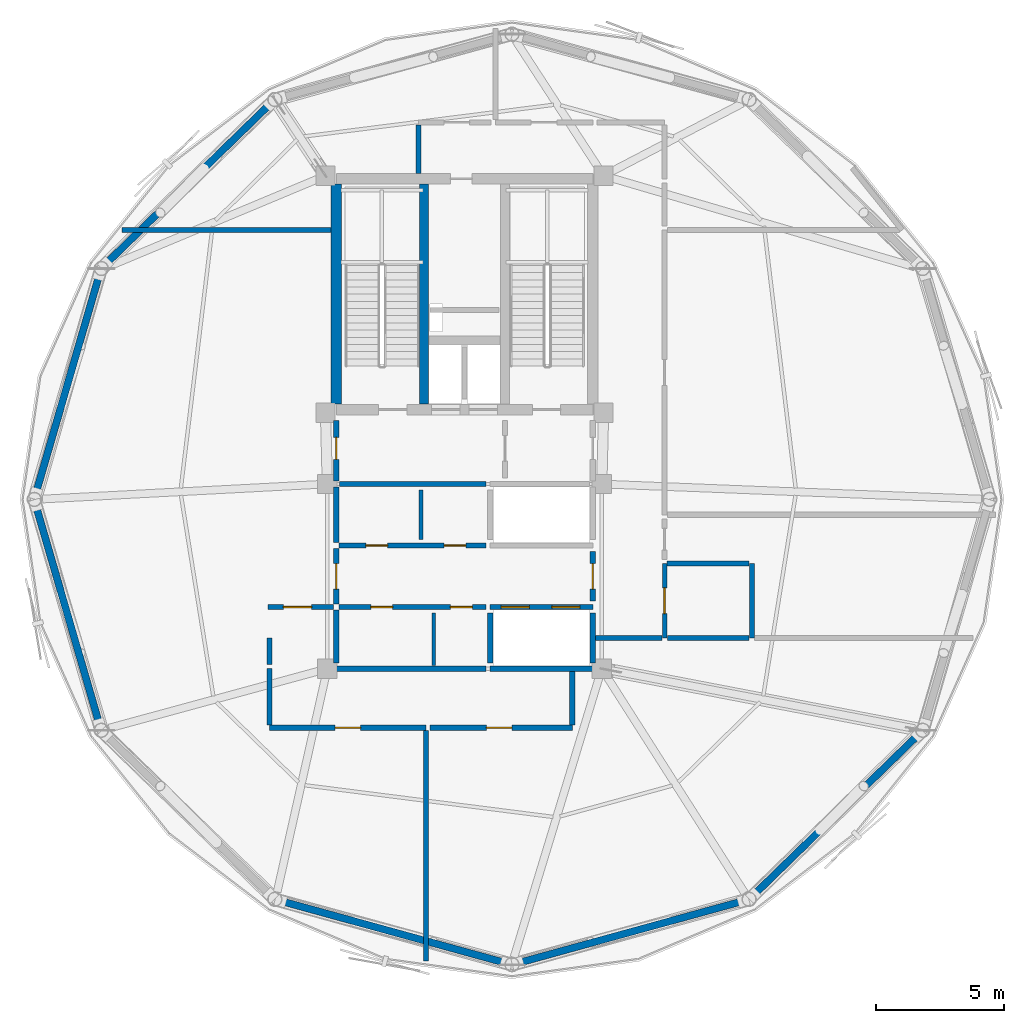
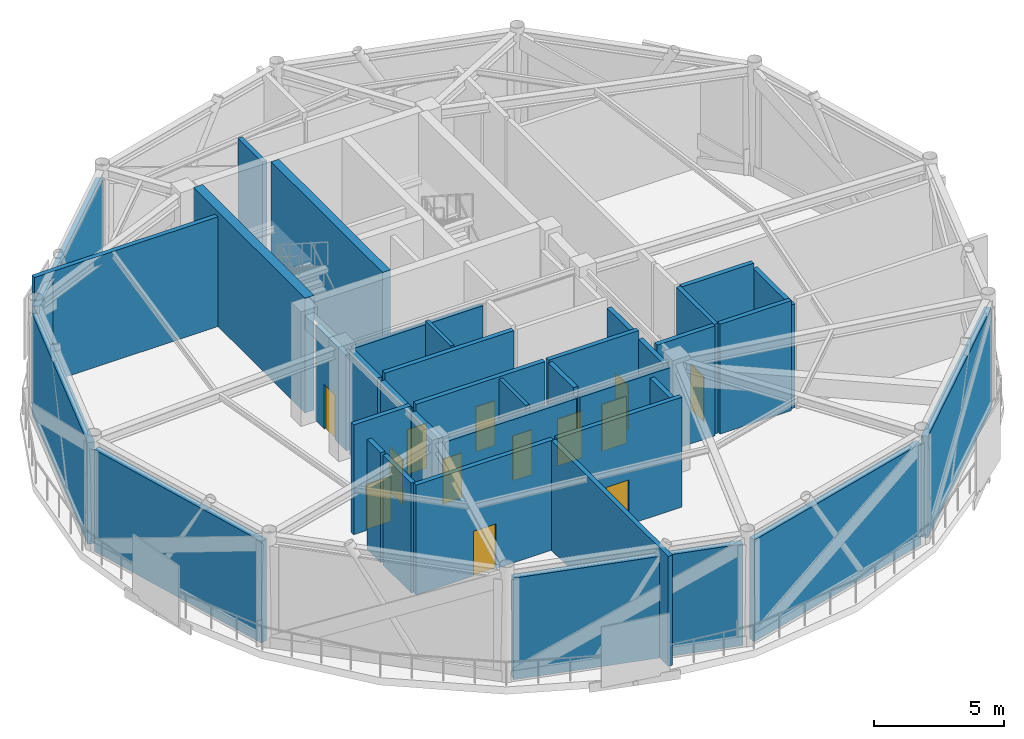
# One storey, part 3 of 10: 37 walls, 13 doors, 13 openings.
"""IFC4 building model written with IfcOpenShell, lengths in metres."""

from ifc_helpers import new_model, si_unit, direction, frame, frame_2d, origin, place, context, subcontext, project, spatial, rectangle, extrude, material, layer, layer_set, type_object, element, fill, save


model = new_model("IFC4")

# Units and contexts
model_context = context("Model", 3, precision=1e-05, world=origin(), true_north=direction((0.0, 1.0)))
body_context = subcontext(model_context, "Body", "Model", "MODEL_VIEW")
ifc_project = project(units=[si_unit("LENGTHUNIT", "METRE"), si_unit("AREAUNIT", "SQUARE_METRE"), si_unit("VOLUMEUNIT", "CUBIC_METRE"), si_unit("PLANEANGLEUNIT", "RADIAN"), si_unit("MASSUNIT", "GRAM", prefix="KILO")], contexts=[model_context])

# Site, building, storey
site_placement = place(None, origin())
site = spatial("IfcSite", under=ifc_project, at=site_placement, CompositionType="ELEMENT")
building_placement = place(site_placement, origin())
building = spatial("IfcBuilding", under=site, at=building_placement, Name="Varnakorn Sky Granary", CompositionType="ELEMENT")
storey_placement = place(building_placement, frame((0.0, 0.0, 240.0)))
storey = spatial("IfcBuildingStorey", under=building, at=storey_placement, Name="L61", CompositionType="ELEMENT", Elevation=240.0)

# Walls
ifc_material_1 = material(Name="Concrete C50/60", Category="concrete")
ifc_layer_1 = layer(ifc_material_1, 0.35009765625, Name="Concrete C50/60")
ifc_layer_set_1 = layer_set([ifc_layer_1], Name="Concrete C50/60")
wall_type_1 = type_object("IfcWallType", Name="WT-CW-INT-350", PredefinedType="SHEAR", material=ifc_layer_set_1)
wall_1_placement = place(storey_placement, frame((1.419921875, 3.7099609375, 0.0), z_axis=(0.0, 0.0, 1.0), x_axis=(0.0, 1.0, 0.0)))
element("IfcWall", 1, at=wall_1_placement, inside=storey, type_object=wall_type_1, Name="Stair ST-1 Core Wall L61", PredefinedType="SHEAR", context=body_context, shape_type="SweptSolid", body=[
    extrude(rectangle(XDim=8.580078125, YDim=0.35009765625, at=frame_2d((4.2900390625, 0.0))), origin(), (0.0, 0.0, 1.0), 5.39208984375),
])
ifc_layer_2 = layer(ifc_material_1, 0.39990234375, Name="Concrete C50/60")
ifc_layer_set_2 = layer_set([ifc_layer_2], Name="Concrete C50/60")
wall_type_2 = type_object("IfcWallType", Name="WT-CW-SHEAR-400", PredefinedType="SHEAR", material=ifc_layer_set_2)
wall_2_placement = place(storey_placement, frame((-2.0, 3.7099609375, 0.0), z_axis=(0.0, 0.0, 1.0), x_axis=(0.0, 1.0, 0.0)))
element("IfcWall", 2, at=wall_2_placement, inside=storey, type_object=wall_type_2, Name="Core West Shear Wall L61", PredefinedType="SHEAR", context=body_context, shape_type="SweptSolid", body=[
    extrude(rectangle(XDim=8.580078125, YDim=0.39990234375, at=frame_2d((4.2900390625, 0.0))), origin(), (0.0, 0.0, 1.0), 5.39208984375),
])
ifc_material_2 = material(Name="Precast concrete C40/50", Category="concrete")
ifc_layer_3 = layer(ifc_material_2, 0.280029296875, Name="Precast concrete C40/50")
ifc_layer_set_3 = layer_set([ifc_layer_3], Name="Precast concrete C40/50")
wall_type_3 = type_object("IfcWallType", Name="WT-EW-CRN-280", PredefinedType="SOLIDWALL", material=ifc_layer_set_3)
wall_3_placement = place(storey_placement, frame((-11.0, 9.166015625, 0.0), z_axis=(0.0, 0.0, 1.0), x_axis=(0.716559160108, 0.69752632213, 0.0)))
element("IfcWall", 3, at=wall_3_placement, inside=storey, type_object=wall_type_3, Name="Agritech Insulated Precast Facade Wall L61-P05", PredefinedType="SOLIDWALL", context=body_context, shape_type="SweptSolid", body=[
    extrude(rectangle(XDim=8.979248046875, YDim=0.280029296875, at=frame_2d((4.48974609375, 0.0))), origin(), (0.0, 0.0, 1.0), 4.77001953125),
])
for number, where, z_axis, x_axis, name in (
    (4, (-13.715576171875, 0.22509765625, 0.0), (0.0, 0.0, 1.0), (0.278734340677, 0.960368245689, 0.0), "Agritech Insulated Precast Facade Wall L61-P06"),
    (5, (-11.2333984375, -8.77734375, 0.0), (0.0, 0.0, 1.0), (-0.278734340677, 0.960368245689, 0.0), "Agritech Insulated Precast Facade Wall L61-P07"),
):
    element("IfcWall", number, at=place(storey_placement, frame(where, z_axis=z_axis, x_axis=x_axis)), inside=storey, type_object=wall_type_3, Name=name, PredefinedType="SOLIDWALL", context=body_context, shape_type="SweptSolid", body=[
        extrude(rectangle(XDim=8.9052734375, YDim=0.280029296875, at=frame_2d((4.45263671875, 0.0))), origin(), (0.0, 0.0, 1.0), 4.77001953125),
    ])
for number, where, z_axis, x_axis, name in (
    (6, (4.623779296875, -18.07763671875, 0.0), (0.0, 0.0, 1.0), (-0.96409875517, 0.26554395169, 0.0), "Agritech Insulated Precast Facade Wall L61-P09"),
    (7, (13.871826171875, -15.655029296875, 0.0), (0.0, 0.0, 1.0), (-0.96409875517, -0.26554395169, 0.0), "Agritech Insulated Precast Facade Wall L61-P10"),
):
    element("IfcWall", number, at=place(storey_placement, frame(where, z_axis=z_axis, x_axis=x_axis)), inside=storey, type_object=wall_type_3, Name=name, PredefinedType="SOLIDWALL", context=body_context, shape_type="SweptSolid", body=[
        extrude(rectangle(XDim=9.123291015625, YDim=0.280029296875, at=frame_2d((4.5615234375, 0.0))), origin(), (0.0, 0.0, 1.0), 4.77001953125),
    ])
wall_4_placement = place(storey_placement, frame((20.699951171875, -9.166015625, 0.0), z_axis=(0.0, 0.0, 1.0), x_axis=(-0.716545930731, -0.697539912229, 0.0)))
element("IfcWall", 8, at=wall_4_placement, inside=storey, type_object=wall_type_3, Name="Agritech Insulated Precast Facade Wall L61-P11", PredefinedType="SOLIDWALL", context=body_context, shape_type="SweptSolid", body=[
    extrude(rectangle(XDim=8.97900390625, YDim=0.280029296875, at=frame_2d((4.489501953125, 0.0))), origin(), (0.0, 0.0, 1.0), 4.77001953125),
])

# Wall, opening, door
ifc_material_3 = material(Name="Autoclaved Aerated Concrete Blockwork", Category="masonry")
ifc_layer_4 = layer(ifc_material_3, 0.199951171875, Name="Autoclaved Aerated Concrete Blockwork")
ifc_layer_set_4 = layer_set([ifc_layer_4], Name="Autoclaved Aerated Concrete Blockwork")
wall_type_4 = type_object("IfcWallType", Name="WT-FIRE-200", PredefinedType="MOVABLE", material=ifc_layer_set_4)
wall_5_placement = place(storey_placement, frame((-2.0, 0.719970703125, 0.0), z_axis=(0.0, 0.0, 1.0), x_axis=(0.0, 1.0, 0.0)))
wall_5 = element("IfcWall", 9, at=wall_5_placement, inside=storey, type_object=wall_type_4, Name="Interior Partition Wall L61-012", PredefinedType="MOVABLE", context=body_context, shape_type="SweptSolid", body=[
    extrude(rectangle(XDim=2.35009765625, YDim=0.199951171875, at=frame_2d((1.175048828125, 0.0))), origin(), (0.0, 0.0, 1.0), 4.491943359375),
])
opening_1_placement = place(wall_5_placement, frame((0.844970703125, 0.0, 0.0)))
opening_1 = element("IfcOpeningElement", 10, at=opening_1_placement, cuts=wall_5, Name="Opening FD-60N", PredefinedType="OPENING", context=body_context, shape_type="SweptSolid", body=[
    extrude(rectangle(XDim=0.85009765625, YDim=2.10009765625, at=frame_2d((0.425048828125, 1.050048828125))), frame((0.0, 0.10986328125, 0.0), z_axis=(0.0, -1.0, 0.0), x_axis=(1.0, 0.0, 0.0)), (0.0, 0.0, 1.0), 0.219970703125),
])
ifc_material_4 = material(Name="Acoustic Timber Fire Leaf", Category="wood")
door_type_1 = type_object("IfcDoorType", Name="DR-FD60-850", OperationType="NOTDEFINED", PredefinedType="DOOR", material=ifc_material_4)
door_1_placement = place(opening_1_placement, origin())
door_1 = element("IfcDoor", 11, at=door_1_placement, inside=storey, type_object=door_type_1, Name="Interior Door L61-012-1", OperationType="SINGLE_SWING_RIGHT", OverallHeight=2.10009765625, OverallWidth=0.85009765625, PredefinedType="DOOR", context=body_context, shape_type="SweptSolid", body=[
    extrude(rectangle(XDim=0.85009765625, YDim=2.10009765625, at=frame_2d((0.425048828125, 1.050048828125))), frame((0.0, 0.02490234375, 0.0), z_axis=(0.0, -1.0, 0.0), x_axis=(1.0, 0.0, 0.0)), (0.0, 0.0, 1.0), 0.050048828125),
])
fill(opening_1, door_1)

wall_6_placement = place(storey_placement, frame((-2.0, -4.080078125, 0.0), z_axis=(0.0, 0.0, 1.0), x_axis=(0.0, 1.0, 0.0)))
wall_6 = element("IfcWall", 12, at=wall_6_placement, inside=storey, type_object=wall_type_4, Name="Interior Partition Wall L61-014", PredefinedType="MOVABLE", context=body_context, shape_type="SweptSolid", body=[
    extrude(rectangle(XDim=2.16015625, YDim=0.199951171875, at=frame_2d((1.080078125, 0.0))), origin(), (0.0, 0.0, 1.0), 4.8720703125),
])
opening_2_placement = place(wall_6_placement, frame((0.580078125, 0.0, 0.0)))
opening_2 = element("IfcOpeningElement", 13, at=opening_2_placement, cuts=wall_6, Name="Opening FD-60", PredefinedType="OPENING", context=body_context, shape_type="SweptSolid", body=[
    extrude(rectangle(XDim=1.0, YDim=2.10009765625, at=frame_2d((0.5, 1.050048828125))), frame((0.0, 0.10986328125, 0.0), z_axis=(0.0, -1.0, 0.0), x_axis=(1.0, 0.0, 0.0)), (0.0, 0.0, 1.0), 0.219970703125),
])
door_type_2 = type_object("IfcDoorType", Name="DR-FD60-1000", OperationType="NOTDEFINED", PredefinedType="DOOR", material=ifc_material_4)
door_2_placement = place(opening_2_placement, origin())
door_2 = element("IfcDoor", 14, at=door_2_placement, inside=storey, type_object=door_type_2, Name="Interior Door L61-014-1", OperationType="SINGLE_SWING_RIGHT", OverallHeight=2.10009765625, OverallWidth=1.0, PredefinedType="DOOR", context=body_context, shape_type="SweptSolid", body=[
    extrude(rectangle(XDim=1.0, YDim=2.10009765625, at=frame_2d((0.5, 1.050048828125))), frame((0.0, 0.02490234375, 0.0), z_axis=(0.0, -1.0, 0.0), x_axis=(1.0, 0.0, 0.0)), (0.0, 0.0, 1.0), 0.050048828125),
])
fill(opening_2, door_2)

wall_7_placement = place(storey_placement, frame((8.0, -3.969970703125, 0.0), z_axis=(0.0, 0.0, 1.0), x_axis=(0.0, 1.0, 0.0)))
wall_7 = element("IfcWall", 15, at=wall_7_placement, inside=storey, type_object=wall_type_4, Name="Interior Partition Wall L61-015", PredefinedType="MOVABLE", context=body_context, shape_type="SweptSolid", body=[
    extrude(rectangle(XDim=1.93994140625, YDim=0.199951171875, at=frame_2d((0.969970703125, 0.0))), origin(), (0.0, 0.0, 1.0), 4.8720703125),
])
opening_3_placement = place(wall_7_placement, frame((0.469970703125, 0.0, 0.0)))
opening_3 = element("IfcOpeningElement", 16, at=opening_3_placement, cuts=wall_7, Name="Opening FD-60", PredefinedType="OPENING", context=body_context, shape_type="SweptSolid", body=[
    extrude(rectangle(XDim=1.0, YDim=2.10009765625, at=frame_2d((0.5, 1.050048828125))), frame((0.0, 0.10986328125, 0.0), z_axis=(0.0, -1.0, 0.0), x_axis=(1.0, 0.0, 0.0)), (0.0, 0.0, 1.0), 0.219970703125),
])
door_3_placement = place(opening_3_placement, origin())
door_3 = element("IfcDoor", 17, at=door_3_placement, inside=storey, type_object=door_type_2, Name="Interior Door L61-015-1", OperationType="SINGLE_SWING_LEFT", OverallHeight=2.10009765625, OverallWidth=1.0, PredefinedType="DOOR", context=body_context, shape_type="SweptSolid", body=[
    extrude(rectangle(XDim=1.0, YDim=2.10009765625, at=frame_2d((0.5, 1.050048828125))), frame((0.0, 0.02490234375, 0.0), z_axis=(0.0, -1.0, 0.0), x_axis=(1.0, 0.0, 0.0)), (0.0, 0.0, 1.0), 0.050048828125),
])
fill(opening_3, door_3)

# Wall, openings, doors
wall_8_placement = place(storey_placement, frame((-1.889892578125, -1.800048828125, 0.0), z_axis=(0.0, 0.0, 1.0), x_axis=(1.0, 0.0, 0.0)))
wall_8 = element("IfcWall", 18, at=wall_8_placement, inside=storey, type_object=wall_type_4, Name="Interior Partition Wall L61-016", PredefinedType="MOVABLE", context=body_context, shape_type="SweptSolid", body=[
    extrude(rectangle(XDim=5.72998046875, YDim=0.199951171875, at=frame_2d((2.864990234375, 0.0))), origin(), (0.0, 0.0, 1.0), 5.159912109375),
])
opening_4_placement = place(wall_8_placement, frame((1.0400390625, 0.0, 0.0)))
opening_4 = element("IfcOpeningElement", 19, at=opening_4_placement, cuts=wall_8, Name="Opening FD-60N", PredefinedType="OPENING", context=body_context, shape_type="SweptSolid", body=[
    extrude(rectangle(XDim=0.85009765625, YDim=2.10009765625, at=frame_2d((0.425048828125, 1.050048828125))), frame((0.0, 0.10986328125, 0.0), z_axis=(0.0, -1.0, 0.0), x_axis=(1.0, 0.0, 0.0)), (0.0, 0.0, 1.0), 0.219970703125),
])
opening_5_placement = place(wall_8_placement, frame((4.090087890625, 0.0, 0.0)))
opening_5 = element("IfcOpeningElement", 20, at=opening_5_placement, cuts=wall_8, Name="Opening FD-60N", PredefinedType="OPENING", context=body_context, shape_type="SweptSolid", body=[
    extrude(rectangle(XDim=0.85009765625, YDim=2.10009765625, at=frame_2d((0.425048828125, 1.050048828125))), frame((0.0, 0.10986328125, 0.0), z_axis=(0.0, -1.0, 0.0), x_axis=(1.0, 0.0, 0.0)), (0.0, 0.0, 1.0), 0.219970703125),
])
door_4_placement = place(opening_4_placement, origin())
door_4 = element("IfcDoor", 21, at=door_4_placement, inside=storey, type_object=door_type_1, Name="Interior Door L61-016-1", OperationType="SINGLE_SWING_RIGHT", OverallHeight=2.10009765625, OverallWidth=0.85009765625, PredefinedType="DOOR", context=body_context, shape_type="SweptSolid", body=[
    extrude(rectangle(XDim=0.85009765625, YDim=2.10009765625, at=frame_2d((0.425048828125, 1.050048828125))), frame((0.0, 0.02490234375, 0.0), z_axis=(0.0, -1.0, 0.0), x_axis=(1.0, 0.0, 0.0)), (0.0, 0.0, 1.0), 0.050048828125),
])
fill(opening_4, door_4)
door_5_placement = place(opening_5_placement, origin())
door_5 = element("IfcDoor", 22, at=door_5_placement, inside=storey, type_object=door_type_1, Name="Interior Door L61-016-2", OperationType="SINGLE_SWING_LEFT", OverallHeight=2.10009765625, OverallWidth=0.85009765625, PredefinedType="DOOR", context=body_context, shape_type="SweptSolid", body=[
    extrude(rectangle(XDim=0.85009765625, YDim=2.10009765625, at=frame_2d((0.425048828125, 1.050048828125))), frame((0.0, 0.02490234375, 0.0), z_axis=(0.0, -1.0, 0.0), x_axis=(1.0, 0.0, 0.0)), (0.0, 0.0, 1.0), 0.050048828125),
])
fill(opening_5, door_5)

wall_9_placement = place(storey_placement, frame((-1.889892578125, -4.199951171875, 0.0), z_axis=(0.0, 0.0, 1.0), x_axis=(1.0, 0.0, 0.0)))
wall_9 = element("IfcWall", 23, at=wall_9_placement, inside=storey, type_object=wall_type_4, Name="Interior Partition Wall L61-017", PredefinedType="MOVABLE", context=body_context, shape_type="SweptSolid", body=[
    extrude(rectangle(XDim=5.72998046875, YDim=0.199951171875, at=frame_2d((2.864990234375, 0.0))), origin(), (0.0, 0.0, 1.0), 5.159912109375),
])
opening_6_placement = place(wall_9_placement, frame((1.239990234375, 0.0, 0.0)))
opening_6 = element("IfcOpeningElement", 24, at=opening_6_placement, cuts=wall_9, Name="Opening FD-60N", PredefinedType="OPENING", context=body_context, shape_type="SweptSolid", body=[
    extrude(rectangle(XDim=0.85009765625, YDim=2.10009765625, at=frame_2d((0.425048828125, 1.050048828125))), frame((0.0, 0.10986328125, 0.0), z_axis=(0.0, -1.0, 0.0), x_axis=(1.0, 0.0, 0.0)), (0.0, 0.0, 1.0), 0.219970703125),
])
opening_7_placement = place(wall_9_placement, frame((4.340087890625, 0.0, 0.0)))
opening_7 = element("IfcOpeningElement", 25, at=opening_7_placement, cuts=wall_9, Name="Opening FD-60N", PredefinedType="OPENING", context=body_context, shape_type="SweptSolid", body=[
    extrude(rectangle(XDim=0.85009765625, YDim=2.10009765625, at=frame_2d((0.425048828125, 1.050048828125))), frame((0.0, 0.10986328125, 0.0), z_axis=(0.0, -1.0, 0.0), x_axis=(1.0, 0.0, 0.0)), (0.0, 0.0, 1.0), 0.219970703125),
])
door_6_placement = place(opening_6_placement, origin())
door_6 = element("IfcDoor", 26, at=door_6_placement, inside=storey, type_object=door_type_1, Name="Interior Door L61-017-1", OperationType="SINGLE_SWING_RIGHT", OverallHeight=2.10009765625, OverallWidth=0.85009765625, PredefinedType="DOOR", context=body_context, shape_type="SweptSolid", body=[
    extrude(rectangle(XDim=0.85009765625, YDim=2.10009765625, at=frame_2d((0.425048828125, 1.050048828125))), frame((0.0, 0.02490234375, 0.0), z_axis=(0.0, -1.0, 0.0), x_axis=(1.0, 0.0, 0.0)), (0.0, 0.0, 1.0), 0.050048828125),
])
fill(opening_6, door_6)
door_7_placement = place(opening_7_placement, origin())
door_7 = element("IfcDoor", 27, at=door_7_placement, inside=storey, type_object=door_type_1, Name="Interior Door L61-017-2", OperationType="SINGLE_SWING_LEFT", OverallHeight=2.10009765625, OverallWidth=0.85009765625, PredefinedType="DOOR", context=body_context, shape_type="SweptSolid", body=[
    extrude(rectangle(XDim=0.85009765625, YDim=2.10009765625, at=frame_2d((0.425048828125, 1.050048828125))), frame((0.0, 0.02490234375, 0.0), z_axis=(0.0, -1.0, 0.0), x_axis=(1.0, 0.0, 0.0)), (0.0, 0.0, 1.0), 0.050048828125),
])
fill(opening_7, door_7)

# Wall, opening, door
wall_10_placement = place(storey_placement, frame((-2.110107421875, -4.199951171875, 0.0), z_axis=(0.0, 0.0, 1.0), x_axis=(-1.0, 0.0, 0.0)))
wall_10 = element("IfcWall", 28, at=wall_10_placement, inside=storey, type_object=wall_type_4, Name="Interior Partition Wall L61-018", PredefinedType="MOVABLE", context=body_context, shape_type="SweptSolid", body=[
    extrude(rectangle(XDim=2.5498046875, YDim=0.199951171875, at=frame_2d((1.27490234375, 0.0))), origin(), (0.0, 0.0, 1.0), 5.159912109375),
])
opening_8_placement = place(wall_10_placement, frame((0.85009765625, 0.0, 0.0)))
opening_8 = element("IfcOpeningElement", 29, at=opening_8_placement, cuts=wall_10, Name="Opening FD-60W", PredefinedType="OPENING", context=body_context, shape_type="SweptSolid", body=[
    extrude(rectangle(XDim=1.10009765625, YDim=2.10009765625, at=frame_2d((0.550048828125, 1.050048828125))), frame((0.0, 0.10986328125, 0.0), z_axis=(0.0, -1.0, 0.0), x_axis=(1.0, 0.0, 0.0)), (0.0, 0.0, 1.0), 0.219970703125),
])
ifc_material_5 = material(Name="Galvanised Painted Steel Leaf", Category="steel")
door_type_3 = type_object("IfcDoorType", Name="DR-FD60-1100", OperationType="NOTDEFINED", PredefinedType="DOOR", material=ifc_material_5)
door_8_placement = place(opening_8_placement, origin())
door_8 = element("IfcDoor", 30, at=door_8_placement, inside=storey, type_object=door_type_3, Name="Interior Door L61-018-1", OperationType="SINGLE_SWING_RIGHT", OverallHeight=2.10009765625, OverallWidth=1.10009765625, PredefinedType="DOOR", context=body_context, shape_type="SweptSolid", body=[
    extrude(rectangle(XDim=1.10009765625, YDim=2.10009765625, at=frame_2d((0.550048828125, 1.050048828125))), frame((0.0, 0.02490234375, 0.0), z_axis=(0.0, -1.0, 0.0), x_axis=(1.0, 0.0, 0.0)), (0.0, 0.0, 1.0), 0.050048828125),
])
fill(opening_8, door_8)

wall_11_placement = place(storey_placement, frame((-4.60009765625, -8.89990234375, 0.0), z_axis=(0.0, 0.0, 1.0), x_axis=(1.0, 0.0, 0.0)))
wall_11 = element("IfcWall", 31, at=wall_11_placement, inside=storey, type_object=wall_type_4, Name="Interior Partition Wall L61-024", PredefinedType="MOVABLE", context=body_context, shape_type="SweptSolid", body=[
    extrude(rectangle(XDim=6.10009765625, YDim=0.199951171875, at=frame_2d((3.050048828125, 0.0))), origin(), (0.0, 0.0, 1.0), 5.159912109375),
])
opening_9_placement = place(wall_11_placement, frame((2.550048828125, 0.0, 0.0)))
opening_9 = element("IfcOpeningElement", 32, at=opening_9_placement, cuts=wall_11, Name="Opening FD-60", PredefinedType="OPENING", context=body_context, shape_type="SweptSolid", body=[
    extrude(rectangle(XDim=1.0, YDim=2.10009765625, at=frame_2d((0.5, 1.050048828125))), frame((0.0, 0.10986328125, 0.0), z_axis=(0.0, -1.0, 0.0), x_axis=(1.0, 0.0, 0.0)), (0.0, 0.0, 1.0), 0.219970703125),
])
door_9_placement = place(opening_9_placement, origin())
door_9 = element("IfcDoor", 33, at=door_9_placement, inside=storey, type_object=door_type_2, Name="Interior Door L61-024-1", OperationType="SINGLE_SWING_RIGHT", OverallHeight=2.10009765625, OverallWidth=1.0, PredefinedType="DOOR", context=body_context, shape_type="SweptSolid", body=[
    extrude(rectangle(XDim=1.0, YDim=2.10009765625, at=frame_2d((0.5, 1.050048828125))), frame((0.0, 0.02490234375, 0.0), z_axis=(0.0, -1.0, 0.0), x_axis=(1.0, 0.0, 0.0)), (0.0, 0.0, 1.0), 0.050048828125),
])
fill(opening_9, door_9)

wall_12_placement = place(storey_placement, frame((1.659912109375, -8.89990234375, 0.0), z_axis=(0.0, 0.0, 1.0), x_axis=(1.0, 0.0, 0.0)))
wall_12 = element("IfcWall", 34, at=wall_12_placement, inside=storey, type_object=wall_type_4, Name="Interior Partition Wall L61-025", PredefinedType="MOVABLE", context=body_context, shape_type="SweptSolid", body=[
    extrude(rectangle(XDim=5.5400390625, YDim=0.199951171875, at=frame_2d((2.77001953125, 0.0))), origin(), (0.0, 0.0, 1.0), 5.159912109375),
])
opening_10_placement = place(wall_12_placement, frame((2.18994140625, 0.0, 0.0)))
opening_10 = element("IfcOpeningElement", 35, at=opening_10_placement, cuts=wall_12, Name="Opening FD-60", PredefinedType="OPENING", context=body_context, shape_type="SweptSolid", body=[
    extrude(rectangle(XDim=1.0, YDim=2.10009765625, at=frame_2d((0.5, 1.050048828125))), frame((0.0, 0.10986328125, 0.0), z_axis=(0.0, -1.0, 0.0), x_axis=(1.0, 0.0, 0.0)), (0.0, 0.0, 1.0), 0.219970703125),
])
door_10_placement = place(opening_10_placement, origin())
door_10 = element("IfcDoor", 36, at=door_10_placement, inside=storey, type_object=door_type_2, Name="Interior Door L61-025-1", OperationType="SINGLE_SWING_LEFT", OverallHeight=2.10009765625, OverallWidth=1.0, PredefinedType="DOOR", context=body_context, shape_type="SweptSolid", body=[
    extrude(rectangle(XDim=1.0, YDim=2.10009765625, at=frame_2d((0.5, 1.050048828125))), frame((0.0, 0.02490234375, 0.0), z_axis=(0.0, -1.0, 0.0), x_axis=(1.0, 0.0, 0.0)), (0.0, 0.0, 1.0), 0.050048828125),
])
fill(opening_10, door_10)

# Walls
wall_13_placement = place(storey_placement, frame((-1.8798828125, 0.60009765625, 0.0), z_axis=(0.0, 0.0, 1.0), x_axis=(1.0, 0.0, 0.0)))
element("IfcWall", 37, at=wall_13_placement, inside=storey, type_object=wall_type_4, Name="Interior Partition Wall L61-026", PredefinedType="MOVABLE", context=body_context, shape_type="SweptSolid", body=[
    extrude(rectangle(XDim=5.719970703125, YDim=0.199951171875, at=frame_2d((2.85986328125, 0.0))), origin(), (0.0, 0.0, 1.0), 4.8720703125),
])
wall_14_placement = place(storey_placement, frame((-2.0, -1.679931640625, 0.0), z_axis=(0.0, 0.0, 1.0), x_axis=(0.0, 1.0, 0.0)))
element("IfcWall", 38, at=wall_14_placement, inside=storey, type_object=wall_type_4, Name="Interior Partition Wall L61-028", PredefinedType="MOVABLE", context=body_context, shape_type="SweptSolid", body=[
    extrude(rectangle(XDim=2.159912109375, YDim=0.199951171875, at=frame_2d((1.080078125, 0.0))), origin(), (0.0, 0.0, 1.0), 4.8720703125),
])
wall_15_placement = place(storey_placement, frame((-2.0, -6.60009765625, 0.0), z_axis=(0.0, 0.0, 1.0), x_axis=(1.0, 0.0, 0.0)))
element("IfcWall", 39, at=wall_15_placement, inside=storey, type_object=wall_type_4, Name="Interior Partition Wall L61-030", PredefinedType="MOVABLE", context=body_context, shape_type="SweptSolid", body=[
    extrude(rectangle(XDim=5.840087890625, YDim=0.199951171875, at=frame_2d((2.919921875, 0.0))), origin(), (0.0, 0.0, 1.0), 4.8720703125),
])
wall_16_placement = place(storey_placement, frame((-2.0, -6.3701171875, 0.0), z_axis=(0.0, 0.0, 1.0), x_axis=(0.0, 1.0, 0.0)))
element("IfcWall", 40, at=wall_16_placement, inside=storey, type_object=wall_type_4, Name="Interior Partition Wall L61-031", PredefinedType="MOVABLE", context=body_context, shape_type="SweptSolid", body=[
    extrude(rectangle(XDim=2.050048828125, YDim=0.199951171875, at=frame_2d((1.02490234375, 0.0))), origin(), (0.0, 0.0, 1.0), 4.8720703125),
])
wall_17_placement = place(storey_placement, frame((1.199951171875, 14.590087890625, 0.0), z_axis=(0.0, 0.0, 1.0), x_axis=(0.0, -1.0, 0.0)))
element("IfcWall", 41, at=wall_17_placement, inside=storey, type_object=wall_type_4, Name="Interior Partition Wall L61-035", PredefinedType="MOVABLE", context=body_context, shape_type="SweptSolid", body=[
    extrude(rectangle(XDim=1.880126953125, YDim=0.199951171875, at=frame_2d((0.93994140625, 0.0))), origin(), (0.0, 0.0, 1.0), 5.159912109375),
])
wall_18_placement = place(storey_placement, frame((-4.60009765625, -6.60009765625, 0.0), z_axis=(0.0, 0.0, 1.0), x_axis=(0.0, -1.0, 0.0)))
element("IfcWall", 42, at=wall_18_placement, inside=storey, type_object=wall_type_4, Name="Interior Partition Wall L61-036", PredefinedType="MOVABLE", context=body_context, shape_type="SweptSolid", body=[
    extrude(rectangle(XDim=2.18994140625, YDim=0.199951171875, at=frame_2d((1.094970703125, 0.0))), origin(), (0.0, 0.0, 1.0), 5.159912109375),
])
wall_19_placement = place(storey_placement, frame((-4.60009765625, -5.39990234375, 0.0), z_axis=(0.0, 0.0, 1.0), x_axis=(0.0, -1.0, 0.0)))
element("IfcWall", 43, at=wall_19_placement, inside=storey, type_object=wall_type_4, Name="Interior Partition Wall L61-037", PredefinedType="MOVABLE", context=body_context, shape_type="SweptSolid", body=[
    extrude(rectangle(XDim=1.0400390625, YDim=0.199951171875, at=frame_2d((0.52001953125, 0.0))), origin(), (0.0, 0.0, 1.0), 5.159912109375),
])
wall_20_placement = place(storey_placement, frame((7.199951171875, -8.7900390625, 0.0), z_axis=(0.0, 0.0, 1.0), x_axis=(0.0, 1.0, 0.0)))
element("IfcWall", 44, at=wall_20_placement, inside=storey, type_object=wall_type_4, Name="Interior Partition Wall L61-038", PredefinedType="MOVABLE", context=body_context, shape_type="SweptSolid", body=[
    extrude(rectangle(XDim=2.080078125, YDim=0.199951171875, at=frame_2d((1.0400390625, 0.0))), origin(), (0.0, 0.0, 1.0), 4.69189453125),
])
wall_21_placement = place(storey_placement, frame((8.110107421875, -5.39990234375, 0.0), z_axis=(0.0, 0.0, 1.0), x_axis=(1.0, 0.0, 0.0)))
element("IfcWall", 45, at=wall_21_placement, inside=storey, type_object=wall_type_4, Name="Interior Partition Wall L61-039", PredefinedType="MOVABLE", context=body_context, shape_type="SweptSolid", body=[
    extrude(rectangle(XDim=2.58984375, YDim=0.199951171875, at=frame_2d((1.294921875, 0.0))), origin(), (0.0, 0.0, 1.0), 5.159912109375),
])
wall_22_placement = place(storey_placement, frame((-10.35791015625, 10.5, 0.0), z_axis=(0.0, 0.0, 1.0), x_axis=(1.0, 0.0, 0.0)))
element("IfcWall", 46, at=wall_22_placement, inside=storey, type_object=wall_type_4, Name="Interior Partition Wall L61-040", PredefinedType="MOVABLE", context=body_context, shape_type="SweptSolid", body=[
    extrude(rectangle(XDim=8.14794921875, YDim=0.199951171875, at=frame_2d((4.073974609375, 0.0))), origin(), (0.0, 0.0, 1.0), 5.159912109375),
])
wall_23_placement = place(storey_placement, frame((14.199951171875, -2.5, 0.0), z_axis=(0.0, 0.0, 1.0), x_axis=(0.0, -1.0, 0.0)))
element("IfcWall", 47, at=wall_23_placement, inside=storey, type_object=wall_type_4, Name="Interior Partition Wall L61-041", PredefinedType="MOVABLE", context=body_context, shape_type="SweptSolid", body=[
    extrude(rectangle(XDim=2.89990234375, YDim=0.199951171875, at=frame_2d((1.449951171875, 0.0))), origin(), (0.0, 0.0, 1.0), 4.8720703125),
])
wall_24_placement = place(storey_placement, frame((10.89990234375, -2.5, 0.0), z_axis=(0.0, 0.0, 1.0), x_axis=(1.0, 0.0, 0.0)))
element("IfcWall", 48, at=wall_24_placement, inside=storey, type_object=wall_type_4, Name="Interior Partition Wall L61-042", PredefinedType="MOVABLE", context=body_context, shape_type="SweptSolid", body=[
    extrude(rectangle(XDim=3.190185546875, YDim=0.199951171875, at=frame_2d((1.59521484375, 0.0))), origin(), (0.0, 0.0, 1.0), 5.159912109375),
])
wall_25_placement = place(storey_placement, frame((14.090087890625, -5.39990234375, 0.0), z_axis=(0.0, 0.0, 1.0), x_axis=(-1.0, 0.0, 0.0)))
element("IfcWall", 49, at=wall_25_placement, inside=storey, type_object=wall_type_4, Name="Interior Partition Wall L61-043", PredefinedType="MOVABLE", context=body_context, shape_type="SweptSolid", body=[
    extrude(rectangle(XDim=3.18017578125, YDim=0.199951171875, at=frame_2d((1.590087890625, 0.0))), origin(), (0.0, 0.0, 1.0), 5.159912109375),
])
wall_26_placement = place(storey_placement, frame((1.5, -9.010009765625, 0.0), z_axis=(0.0, 0.0, 1.0), x_axis=(0.0, -1.0, 0.0)))
element("IfcWall", 50, at=wall_26_placement, inside=storey, type_object=wall_type_4, Name="Interior Partition Wall L61-049", PredefinedType="MOVABLE", context=body_context, shape_type="SweptSolid", body=[
    extrude(rectangle(XDim=8.97998046875, YDim=0.199951171875, at=frame_2d((4.489990234375, 0.0))), origin(), (0.0, 0.0, 1.0), 5.159912109375),
])
ifc_material_6 = material(Name="Gypsum Plasterboard on Steel Stud", Category="steel")
ifc_layer_5 = layer(ifc_material_6, 0.14990234375, Name="Gypsum Plasterboard on Steel Stud")
ifc_layer_set_5 = layer_set([ifc_layer_5], Name="Gypsum Plasterboard on Steel Stud")
wall_type_5 = type_object("IfcWallType", Name="WT-PART-150", PredefinedType="PARTITIONING", material=ifc_layer_set_5)
wall_27_placement = place(storey_placement, frame((1.300048828125, -1.570068359375, 0.0), z_axis=(0.0, 0.0, 1.0), x_axis=(0.0, 1.0, 0.0)))
element("IfcWall", 51, at=wall_27_placement, inside=storey, type_object=wall_type_5, Name="Interior Partition Wall L61-027", PredefinedType="PARTITIONING", context=body_context, shape_type="SweptSolid", body=[
    extrude(rectangle(XDim=1.940185546875, YDim=0.14990234375, at=frame_2d((0.97021484375, 0.0))), origin(), (0.0, 0.0, 1.0), 5.159912109375),
])
wall_28_placement = place(storey_placement, frame((1.800048828125, -6.47998046875, 0.0), z_axis=(0.0, 0.0, 1.0), x_axis=(0.0, 1.0, 0.0)))
element("IfcWall", 52, at=wall_28_placement, inside=storey, type_object=wall_type_5, Name="Interior Partition Wall L61-029", PredefinedType="PARTITIONING", context=body_context, shape_type="SweptSolid", body=[
    extrude(rectangle(XDim=2.050048828125, YDim=0.14990234375, at=frame_2d((1.02490234375, 0.0))), origin(), (0.0, 0.0, 1.0), 5.159912109375),
])

# Wall, opening, door
ifc_material_7 = material(Name="Moisture-Resistant Gypsum on Stud", Category="gypsum")
ifc_layer_6 = layer(ifc_material_7, 0.179931640625, Name="Moisture-Resistant Gypsum on Stud")
ifc_layer_set_6 = layer_set([ifc_layer_6], Name="Moisture-Resistant Gypsum on Stud")
wall_type_6 = type_object("IfcWallType", Name="WT-PLUMB-180", PredefinedType="PLUMBINGWALL", material=ifc_layer_set_6)
wall_29_placement = place(storey_placement, frame((10.800048828125, -5.39990234375, 0.0), z_axis=(0.0, 0.0, 1.0), x_axis=(0.0, 1.0, 0.0)))
wall_29 = element("IfcWall", 53, at=wall_29_placement, inside=storey, type_object=wall_type_6, Name="Interior Partition Wall L61-019", PredefinedType="PLUMBINGWALL", context=body_context, shape_type="SweptSolid", body=[
    extrude(rectangle(XDim=2.89990234375, YDim=0.179931640625, at=frame_2d((1.449951171875, 0.0))), origin(), (0.0, 0.0, 1.0), 5.159912109375),
])
opening_11_placement = place(wall_29_placement, frame((0.949951171875, 0.0, 0.0)))
opening_11 = element("IfcOpeningElement", 54, at=opening_11_placement, cuts=wall_29, Name="Opening ID-100", PredefinedType="OPENING", context=body_context, shape_type="SweptSolid", body=[
    extrude(rectangle(XDim=1.0, YDim=2.10009765625, at=frame_2d((0.5, 1.050048828125))), frame((0.0, 0.10009765625, 0.0), z_axis=(0.0, -1.0, 0.0), x_axis=(1.0, 0.0, 0.0)), (0.0, 0.0, 1.0), 0.199951171875),
])
ifc_material_8 = material(Name="Solid-Core Teak Veneer Leaf", Category="timber")
door_type_4 = type_object("IfcDoorType", Name="DR-INT-1000", OperationType="NOTDEFINED", PredefinedType="DOOR", material=ifc_material_8)
door_11_placement = place(opening_11_placement, origin())
door_11 = element("IfcDoor", 55, at=door_11_placement, inside=storey, type_object=door_type_4, Name="Interior Door L61-019-1", OperationType="SINGLE_SWING_LEFT", OverallHeight=2.10009765625, OverallWidth=1.0, PredefinedType="DOOR", context=body_context, shape_type="SweptSolid", body=[
    extrude(rectangle(XDim=1.0, YDim=2.10009765625, at=frame_2d((0.5, 1.050048828125))), frame((0.0, 0.02490234375, 0.0), z_axis=(0.0, -1.0, 0.0), x_axis=(1.0, 0.0, 0.0)), (0.0, 0.0, 1.0), 0.050048828125),
])
fill(opening_11, door_11)

# Wall, openings, doors
ifc_layer_7 = layer(ifc_material_3, 0.199951171875, Name="Autoclaved Aerated Concrete Blockwork")
ifc_layer_set_7 = layer_set([ifc_layer_7], Name="Autoclaved Aerated Concrete Blockwork")
wall_type_7 = type_object("IfcWallType", Name="WT-SHAFT-200", PredefinedType="SOLIDWALL", material=ifc_layer_set_7)
wall_30_placement = place(storey_placement, frame((4.0, -4.199951171875, 0.0), z_axis=(0.0, 0.0, 1.0), x_axis=(1.0, 0.0, 0.0)))
wall_30 = element("IfcWall", 56, at=wall_30_placement, inside=storey, type_object=wall_type_7, Name="Interior Partition Wall L61-007", PredefinedType="SOLIDWALL", context=body_context, shape_type="SweptSolid", body=[
    extrude(rectangle(XDim=4.0, YDim=0.199951171875, at=frame_2d((2.0, 0.0))), origin(), (0.0, 0.0, 1.0), 5.159912109375),
])
opening_12_placement = place(wall_30_placement, frame((0.429931640625, 0.0, 0.0)))
opening_12 = element("IfcOpeningElement", 57, at=opening_12_placement, cuts=wall_30, Name="Opening LD-01", PredefinedType="OPENING", context=body_context, shape_type="SweptSolid", body=[
    extrude(rectangle(XDim=1.10009765625, YDim=2.199951171875, at=frame_2d((0.550048828125, 1.10009765625))), frame((0.0, 0.10986328125, 0.0), z_axis=(0.0, -1.0, 0.0), x_axis=(1.0, 0.0, 0.0)), (0.0, 0.0, 1.0), 0.219970703125),
])
opening_13_placement = place(wall_30_placement, frame((2.39990234375, 0.0, 0.0)))
opening_13 = element("IfcOpeningElement", 58, at=opening_13_placement, cuts=wall_30, Name="Opening LD-01", PredefinedType="OPENING", context=body_context, shape_type="SweptSolid", body=[
    extrude(rectangle(XDim=1.10009765625, YDim=2.199951171875, at=frame_2d((0.550048828125, 1.10009765625))), frame((0.0, 0.10986328125, 0.0), z_axis=(0.0, -1.0, 0.0), x_axis=(1.0, 0.0, 0.0)), (0.0, 0.0, 1.0), 0.219970703125),
])
ifc_material_9 = material(Name="Brushed Bronze Stainless Steel", Category="steel")
door_type_5 = type_object("IfcDoorType", Name="DR-LD-1100", OperationType="DOUBLE_DOOR_SLIDING", PredefinedType="DOOR", material=ifc_material_9)
door_12_placement = place(opening_12_placement, origin())
door_12 = element("IfcDoor", 59, at=door_12_placement, inside=storey, type_object=door_type_5, Name="Passenger Lift PL-H1 Sliding Landing Door L61", OperationType="DOUBLE_DOOR_SLIDING", OverallHeight=2.199951171875, OverallWidth=1.10009765625, PredefinedType="DOOR", context=body_context, shape_type="SweptSolid", body=[
    extrude(rectangle(XDim=1.10009765625, YDim=2.199951171875, at=frame_2d((0.550048828125, 1.10009765625))), frame((0.0, 0.02490234375, 0.0), z_axis=(0.0, -1.0, 0.0), x_axis=(1.0, 0.0, 0.0)), (0.0, 0.0, 1.0), 0.050048828125),
])
fill(opening_12, door_12)
door_13_placement = place(opening_13_placement, origin())
door_13 = element("IfcDoor", 60, at=door_13_placement, inside=storey, type_object=door_type_5, Name="Passenger Lift PL-H2 Sliding Landing Door L61", OperationType="DOUBLE_DOOR_SLIDING", OverallHeight=2.199951171875, OverallWidth=1.10009765625, PredefinedType="DOOR", context=body_context, shape_type="SweptSolid", body=[
    extrude(rectangle(XDim=1.10009765625, YDim=2.199951171875, at=frame_2d((0.550048828125, 1.10009765625))), frame((0.0, 0.02490234375, 0.0), z_axis=(0.0, -1.0, 0.0), x_axis=(1.0, 0.0, 0.0)), (0.0, 0.0, 1.0), 0.050048828125),
])
fill(opening_13, door_13)

# Walls
wall_31_placement = place(storey_placement, frame((4.0, -6.60009765625, 0.0), z_axis=(0.0, 0.0, 1.0), x_axis=(1.0, 0.0, 0.0)))
element("IfcWall", 61, at=wall_31_placement, inside=storey, type_object=wall_type_7, Name="Interior Partition Wall L61-008", PredefinedType="SOLIDWALL", context=body_context, shape_type="SweptSolid", body=[
    extrude(rectangle(XDim=4.0, YDim=0.199951171875, at=frame_2d((2.0, 0.0))), origin(), (0.0, 0.0, 1.0), 4.8720703125),
])
wall_32_placement = place(storey_placement, frame((4.0, -6.3701171875, 0.0), z_axis=(0.0, 0.0, 1.0), x_axis=(0.0, 1.0, 0.0)))
element("IfcWall", 62, at=wall_32_placement, inside=storey, type_object=wall_type_7, Name="Interior Partition Wall L61-009", PredefinedType="SOLIDWALL", context=body_context, shape_type="SweptSolid", body=[
    extrude(rectangle(XDim=1.940185546875, YDim=0.199951171875, at=frame_2d((0.97021484375, 0.0))), origin(), (0.0, 0.0, 1.0), 5.159912109375),
])
wall_33_placement = place(storey_placement, frame((8.0, -6.3701171875, 0.0), z_axis=(0.0, 0.0, 1.0), x_axis=(0.0, 1.0, 0.0)))
element("IfcWall", 63, at=wall_33_placement, inside=storey, type_object=wall_type_7, Name="Interior Partition Wall L61-010", PredefinedType="SOLIDWALL", context=body_context, shape_type="SweptSolid", body=[
    extrude(rectangle(XDim=1.940185546875, YDim=0.199951171875, at=frame_2d((0.97021484375, 0.0))), origin(), (0.0, 0.0, 1.0), 4.8720703125),
])

save(model, "model.ifc")
